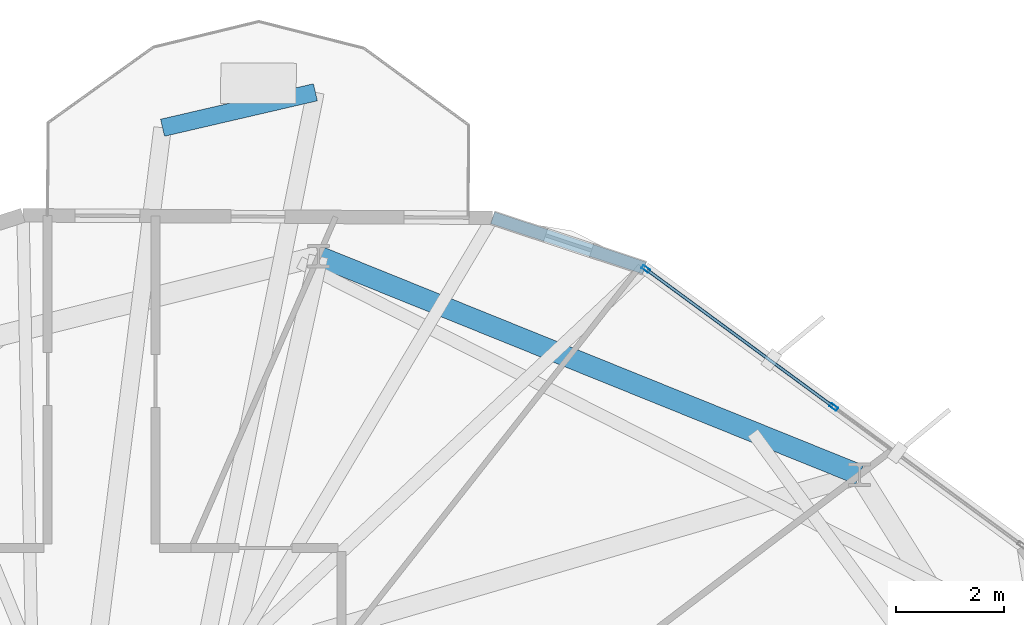
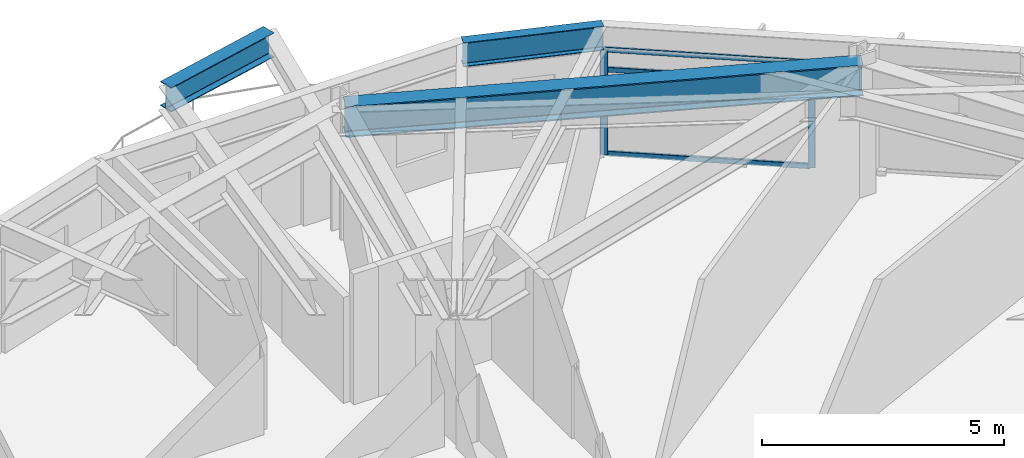
# One storey, part 14 of 24: 5 members, 3 beams, 1 element without a shape of its own.
"""IFC4 building model written with IfcOpenShell, lengths in metres."""

from ifc_helpers import new_model, si_unit, direction, frame, origin, origin_2d, place, context, subcontext, project, spatial, hollow_rectangle, i_section, extrude, material, layer, layer_set, material_profile, profile_set, type_object, element, aggregate, save


model = new_model("IFC4")

# Units and contexts
model_context = context("Model", 3, precision=1e-05, world=origin(), true_north=direction((0.0, 1.0)))
body_context = subcontext(model_context, "Body", "Model", "MODEL_VIEW")
ifc_project = project(units=[si_unit("LENGTHUNIT", "METRE"), si_unit("AREAUNIT", "SQUARE_METRE"), si_unit("VOLUMEUNIT", "CUBIC_METRE"), si_unit("PLANEANGLEUNIT", "RADIAN"), si_unit("MASSUNIT", "GRAM", prefix="KILO")], contexts=[model_context])

# Site, building, storey
site_placement = place(None, origin())
site = spatial("IfcSite", under=ifc_project, at=site_placement, CompositionType="ELEMENT")
building_placement = place(site_placement, origin())
building = spatial("IfcBuilding", under=site, at=building_placement, Name="Soratama Intermodal Tower", CompositionType="ELEMENT")
storey_placement = place(building_placement, frame((0.0, 0.0, 164.199951171875)))
storey = spatial("IfcBuildingStorey", under=building, at=storey_placement, Name="L40", CompositionType="ELEMENT", Elevation=164.199951171875)

# Beams
ifc_material_1 = material(Name="Structural steel ASTM A992 Grade 50", Category="steel")
ifc_material_profile_1 = material_profile(ifc_material_1, i_section(OverallWidth=0.324951171875, OverallDepth=0.615966796875, WebThickness=0.013916015625, FlangeThickness=0.021484375, FilletRadius=0.013916015625, at=origin_2d()), Name="W24X117")
ifc_profile_set_1 = profile_set([ifc_material_profile_1], Name="Structural steel ASTM A992 Grade 50")
beam_type_1 = type_object("IfcBeamType", Name="BM-CANT-W24X117", PredefinedType="BEAM", material=ifc_profile_set_1)
beam_1_placement = place(storey_placement, frame((46.1630859375, 45.4951171875, 2.991943359375), z_axis=(-0.974130210171, -0.225987463442, 0.0), x_axis=(0.225987463442, -0.974130210171, 0.0)))
element("IfcBeam", 1, at=beam_1_placement, inside=storey, type_object=beam_type_1, Name="BM-L40-CBHDR-1", PredefinedType="BEAM", context=body_context, shape_type="SweptSolid", body=[
    extrude(i_section(OverallWidth=0.324951171875, OverallDepth=0.615966796875, WebThickness=0.013916015625, FlangeThickness=0.021484375, FilletRadius=0.013916015625, at=origin_2d()), origin(), (0.0, 0.0, 1.0), 2.908203125),
])
ifc_material_2 = material(Name="Structural steel ASTM A992 Grade 50", Category="steel")
ifc_material_profile_2 = material_profile(ifc_material_2, i_section(OverallWidth=0.382080078125, OverallDepth=0.779052734375, WebThickness=0.01806640625, FlangeThickness=0.030029296875, FilletRadius=0.01806640625, at=origin_2d()), Name="W30X191")
ifc_profile_set_2 = profile_set([ifc_material_profile_2], Name="Structural steel ASTM A992 Grade 50")
beam_type_2 = type_object("IfcBeamType", Name="BM-RING-W30X191", PredefinedType="BEAM", material=ifc_profile_set_2)
beam_2_placement = place(storey_placement, frame((56.2490234375, 38.406005859375, 2.91064453125), z_axis=(-0.927202491827, 0.374560461275, 0.0), x_axis=(-0.374560461275, -0.927202491827, 0.0)))
element("IfcBeam", 2, at=beam_2_placement, inside=storey, type_object=beam_type_2, Name="BM-L40-RING-02", PredefinedType="BEAM", context=body_context, shape_type="SweptSolid", body=[
    extrude(i_section(OverallWidth=0.382080078125, OverallDepth=0.779052734375, WebThickness=0.01806640625, FlangeThickness=0.030029296875, FilletRadius=0.01806640625, at=origin_2d()), origin(), (0.0, 0.0, 1.0), 10.8154296875),
])
ifc_material_3 = material(Name="Structural steel ASTM A992 Grade 50", Category="steel")
ifc_material_profile_3 = material_profile(ifc_material_3, i_section(OverallWidth=0.22900390625, OverallDepth=0.612060546875, WebThickness=0.011962890625, FlangeThickness=0.01953125, FilletRadius=0.012939453125, at=origin_2d()), Name="W24X84")
ifc_profile_set_3 = profile_set([ifc_material_profile_3], Name="Structural steel ASTM A992 Grade 50")
beam_type_3 = type_object("IfcBeamType", Name="BM-SPN-W24X84", PredefinedType="SPANDREL", material=ifc_profile_set_3)
beam_3_placement = place(storey_placement, frame((52.262939453125, 42.238037109375, 2.994140625), z_axis=(-0.949462423582, 0.313880719709, 0.0), x_axis=(-0.313880719709, -0.949462423582, 0.0)))
element("IfcBeam", 3, at=beam_3_placement, inside=storey, type_object=beam_type_3, Name="BS-L40-CRN01", PredefinedType="SPANDREL", context=body_context, shape_type="SweptSolid", body=[
    extrude(i_section(OverallWidth=0.22900390625, OverallDepth=0.612060546875, WebThickness=0.011962890625, FlangeThickness=0.01953125, FilletRadius=0.012939453125, at=origin_2d()), origin(), (0.0, 0.0, 1.0), 2.9658203125),
])

# Curtain wall, members
ifc_material_4 = material(Name="Double-glazed aluminium curtain wall", Category="aluminium")
ifc_layer = layer(ifc_material_4, 0.159912109375)
ifc_layer_set = layer_set([ifc_layer], Name="Double-glazed aluminium curtain wall")
curtain_wall_type = type_object("IfcCurtainWallType", Name="CW-SYS-4", PredefinedType="NOTDEFINED", material=ifc_layer_set)
curtain_wall_placement = place(storey_placement, origin())
curtain_wall = element("IfcCurtainWall", 4, at=curtain_wall_placement, inside=storey, type_object=curtain_wall_type, Name="L40 Faceted Curtain Wall F01", PredefinedType="NOTDEFINED")
ifc_material_5 = material(Name="Anodised aluminium AA 6063-T6", Category="aluminium")
ifc_material_profile_4 = material_profile(ifc_material_5, hollow_rectangle(XDim=0.070068359375, YDim=0.159912109375, WallThickness=0.0048828125, InnerFilletRadius=0.0048828125, OuterFilletRadius=0.010009765625, at=origin_2d()), Name="CWM160X70X5")
ifc_profile_set_4 = profile_set([ifc_material_profile_4], Name="Anodised aluminium AA 6063-T6")
member_type_1 = type_object("IfcMemberType", Name="MT-CWM-4", PredefinedType="MULLION", material=ifc_profile_set_4)
member_1_placement = place(storey_placement, frame((55.77001953125, 39.66162109375, 0.0), z_axis=(0.0, 0.0, 1.0), x_axis=(-0.592015056017, -0.805926903291, 0.0)))
member_1 = element("IfcMember", 5, at=member_1_placement, type_object=member_type_1, Name="CW-4 mullion 2", PredefinedType="MULLION", context=body_context, shape_type="SweptSolid", body=[
    extrude(hollow_rectangle(XDim=0.070068359375, YDim=0.159912109375, WallThickness=0.0048828125, InnerFilletRadius=0.0048828125, OuterFilletRadius=0.010009765625, at=origin_2d()), origin(), (0.0, 0.0, 1.0), 2.678955078125),
])
member_2_placement = place(storey_placement, frame((52.287353515625, 42.2197265625, 0.0), z_axis=(0.0, 0.0, 1.0), x_axis=(-0.592015056017, -0.805926903291, 0.0)))
member_2 = element("IfcMember", 6, at=member_2_placement, type_object=member_type_1, Name="CW-4 mullion 3", PredefinedType="MULLION", context=body_context, shape_type="SweptSolid", body=[
    extrude(hollow_rectangle(XDim=0.070068359375, YDim=0.159912109375, WallThickness=0.0048828125, InnerFilletRadius=0.0048828125, OuterFilletRadius=0.010009765625, at=origin_2d()), origin(), (0.0, 0.0, 1.0), 2.678955078125),
])
ifc_material_6 = material(Name="Anodised aluminium AA 6063-T6", Category="aluminium")
ifc_material_profile_5 = material_profile(ifc_material_6, hollow_rectangle(XDim=0.06005859375, YDim=0.1298828125, WallThickness=0.0048828125, InnerFilletRadius=0.0048828125, OuterFilletRadius=0.010009765625, at=origin_2d()), Name="CWT130X60X5")
ifc_profile_set_5 = profile_set([ifc_material_profile_5], Name="Anodised aluminium AA 6063-T6")
member_type_2 = type_object("IfcMemberType", Name="TT-CWT-2", PredefinedType="USERDEFINED", material=ifc_profile_set_5)
member_3_placement = place(storey_placement, frame((55.745849609375, 39.67919921875, 0.030029296875), z_axis=(-0.805907474375, 0.592041504243, 0.0), x_axis=(-0.592041504243, -0.805907474375, 0.0)))
member_3 = element("IfcMember", 7, at=member_3_placement, type_object=member_type_2, Name="CW-4 transom 2.1", ObjectType="TRANSOM", PredefinedType="USERDEFINED", context=body_context, shape_type="SweptSolid", body=[
    extrude(hollow_rectangle(XDim=0.06005859375, YDim=0.1298828125, WallThickness=0.0048828125, InnerFilletRadius=0.0048828125, OuterFilletRadius=0.010009765625, at=origin_2d()), origin(), (0.0, 0.0, 1.0), 4.261474609375),
])
member_4_placement = place(storey_placement, frame((55.745849609375, 39.67919921875, 2.150146484375), z_axis=(-0.805907474375, 0.592041504243, 0.0), x_axis=(-0.592041504243, -0.805907474375, 0.0)))
member_4 = element("IfcMember", 8, at=member_4_placement, type_object=member_type_2, Name="CW-4 transom 2.2", ObjectType="TRANSOM", PredefinedType="USERDEFINED", context=body_context, shape_type="SweptSolid", body=[
    extrude(hollow_rectangle(XDim=0.06005859375, YDim=0.1298828125, WallThickness=0.0048828125, InnerFilletRadius=0.0048828125, OuterFilletRadius=0.010009765625, at=origin_2d()), origin(), (0.0, 0.0, 1.0), 4.261474609375),
])
member_5_placement = place(storey_placement, frame((55.745849609375, 39.67919921875, 2.649169921875), z_axis=(-0.805907474375, 0.592041504243, 0.0), x_axis=(-0.592041504243, -0.805907474375, 0.0)))
member_5 = element("IfcMember", 9, at=member_5_placement, type_object=member_type_2, Name="CW-4 transom 2.3", ObjectType="TRANSOM", PredefinedType="USERDEFINED", context=body_context, shape_type="SweptSolid", body=[
    extrude(hollow_rectangle(XDim=0.06005859375, YDim=0.1298828125, WallThickness=0.0048828125, InnerFilletRadius=0.0048828125, OuterFilletRadius=0.010009765625, at=origin_2d()), origin(), (0.0, 0.0, 1.0), 4.261474609375),
])
aggregate(curtain_wall, [member_1, member_2, member_3, member_4, member_5])

save(model, "model.ifc")
